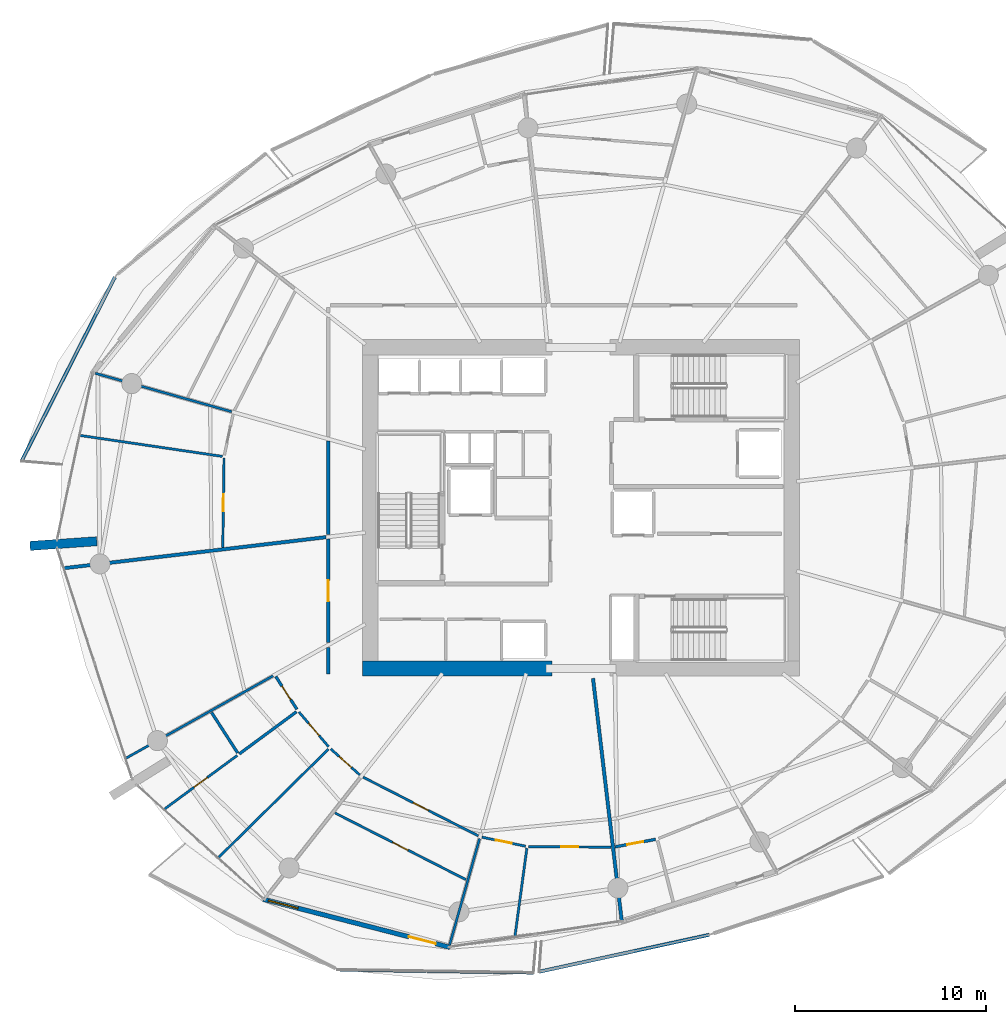
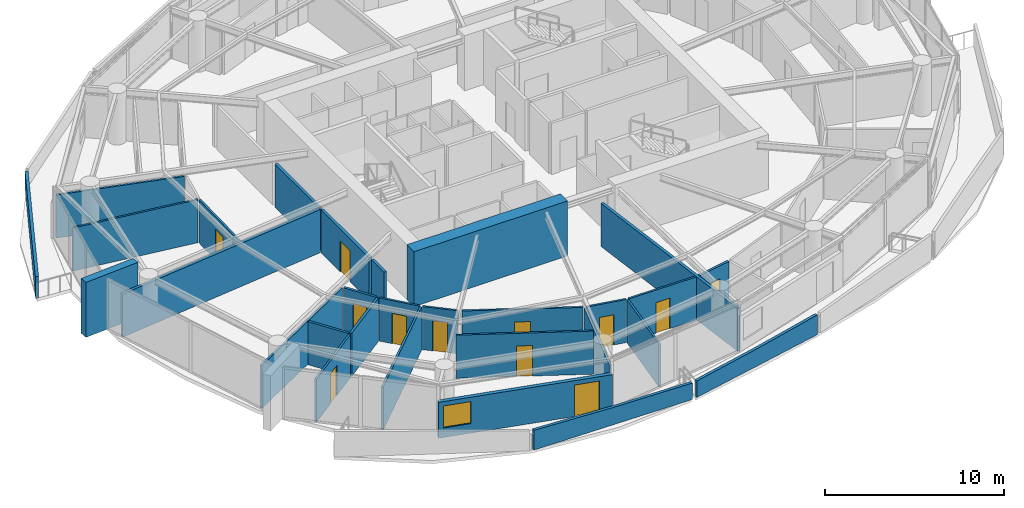
# One storey, part 11 of 20: 29 walls, 12 doors, 1 window, 13 openings.
"""IFC4 building model written with IfcOpenShell, lengths in metres."""

from ifc_helpers import new_model, si_unit, direction, frame, frame_2d, origin, place, context, subcontext, project, spatial, polyline, rectangle, outline, extrude, material, layer, layer_set, type_object, element, fill, save


model = new_model("IFC4")

# Units and contexts
model_context = context("Model", 3, precision=1e-05, world=origin(), true_north=direction((0.0, 1.0)))
body_context = subcontext(model_context, "Body", "Model", "MODEL_VIEW")
ifc_project = project(units=[si_unit("LENGTHUNIT", "METRE"), si_unit("AREAUNIT", "SQUARE_METRE"), si_unit("VOLUMEUNIT", "CUBIC_METRE"), si_unit("PLANEANGLEUNIT", "RADIAN"), si_unit("MASSUNIT", "GRAM", prefix="KILO")], contexts=[model_context])

# Site, building, storey
site_placement = place(None, origin())
site = spatial("IfcSite", under=ifc_project, at=site_placement, CompositionType="ELEMENT")
building_placement = place(site_placement, origin())
building = spatial("IfcBuilding", under=site, at=building_placement, Name="Kazma Halo Residences", CompositionType="ELEMENT")
storey_placement = place(building_placement, frame((0.0, 0.0, 157.800048828125)))
storey = spatial("IfcBuildingStorey", under=building, at=storey_placement, Name="L39", CompositionType="ELEMENT", Elevation=157.800048828125)

# Walls
ifc_material_1 = material(Name="White Concrete C50/60 Balustrade", Category="concrete")
ifc_layer_1 = layer(ifc_material_1, 0.179931640625)
ifc_layer_set_1 = layer_set([ifc_layer_1], Name="White Concrete C50/60 Balustrade")
wall_type_1 = type_object("IfcWallType", Name="WL-BAL-WAVE-180", PredefinedType="PARAPET", material=ifc_layer_set_1)
wall_1_placement = place(storey_placement, frame((24.047119140625, 54.070068359375, 0.0), z_axis=(0.0, 0.0, 1.0), x_axis=(-0.452409779831, -0.891810176615, 0.0)))
element("IfcWall", 1, at=wall_1_placement, inside=storey, type_object=wall_type_1, Name="L39 white wave balustrade wall NW.2", PredefinedType="PARAPET", context=body_context, shape_type="SweptSolid", body=[
    extrude(outline(polyline([(0.0, 0.0), (10.790771484375, 0.0), (10.79052734375, 1.48291015625), (5.395263671875, 1.283935546875), (0.0, 1.14794921875), (0.0, 0.0)])), frame((0.0, 0.08984375, 0.0), z_axis=(0.0, -1.0, 0.0), x_axis=(1.0, 0.0, 0.0)), (0.0, 0.0, 1.0), 0.179931640625),
])
wall_2_placement = place(storey_placement, frame((35.815185546875, 17.848876953125, 0.0), z_axis=(0.0, 0.0, 1.0), x_axis=(0.999886405962, -0.015072331381, 0.0)))
element("IfcWall", 2, at=wall_2_placement, inside=storey, type_object=wall_type_1, Name="L39 white wave balustrade wall SW.2", PredefinedType="PARAPET", context=body_context, shape_type="SweptSolid", body=[
    extrude(outline(polyline([(0.0, 0.0), (10.123779296875, 0.0), (10.12353515625, 1.119873046875), (5.061767578125, 1.181884765625), (0.0, 1.347900390625), (0.0, 0.0)])), frame((0.0, 0.08984375, 0.0), z_axis=(0.0, -1.0, 0.0), x_axis=(1.0, 0.0, 0.0)), (0.0, 0.0, 1.0), 0.179931640625),
])
wall_3_placement = place(storey_placement, frame((46.23974609375, 17.741455078125, 0.0), z_axis=(0.0, 0.0, 1.0), x_axis=(0.977181934864, 0.212404016384, 0.0)))
element("IfcWall", 3, at=wall_3_placement, inside=storey, type_object=wall_type_1, Name="L39 white wave balustrade wall SSE.1", PredefinedType="PARAPET", context=body_context, shape_type="SweptSolid", body=[
    extrude(outline(polyline([(0.0, 0.0), (9.096435546875, 0.0), (9.096435546875, 1.347900390625), (4.54833984375, 1.181884765625), (0.0, 1.119873046875), (0.0, 0.0)])), frame((0.0, 0.08984375, 0.0), z_axis=(0.0, -1.0, 0.0), x_axis=(1.0, 0.0, 0.0)), (0.0, 0.0, 1.0), 0.179931640625),
])
ifc_material_2 = material(Name="Pale Concrete C60/75", Category="concrete")
ifc_layer_2 = layer(ifc_material_2, 0.47998046875)
ifc_layer_set_2 = layer_set([ifc_layer_2], Name="Pale Concrete C60/75")
wall_type_2 = type_object("IfcWallType", Name="WL-BLADE-480", PredefinedType="SOLIDWALL", material=ifc_layer_set_2)
wall_4_placement = place(storey_placement, frame((23.10302734375, 40.259033203125, 0.0), z_axis=(0.0, 0.0, 1.0), x_axis=(-0.997564163539, -0.069754853754, 0.0)))
element("IfcWall", 4, at=wall_4_placement, inside=storey, type_object=wall_type_2, Name="L39 pale concrete structural blade fin wall BW-02", PredefinedType="SOLIDWALL", context=body_context, shape_type="SweptSolid", body=[
    extrude(rectangle(XDim=3.5, YDim=0.47998046875, at=frame_2d((1.75, 0.0))), origin(), (0.0, 0.0, 1.0), 3.75),
])
ifc_material_3 = material(Name="Concrete C80/95", Category="concrete")
ifc_layer_3 = layer(ifc_material_3, 0.800048828125)
ifc_layer_set_3 = layer_set([ifc_layer_3], Name="Concrete C80/95")
wall_type_3 = type_object("IfcWallType", Name="WL-CORE-800", PredefinedType="SHEAR", material=ifc_layer_set_3)
wall_5_placement = place(storey_placement, frame((37.0, 33.60009765625, 0.0), z_axis=(0.0, 0.0, 1.0), x_axis=(1.0, 0.0, 0.0)))
element("IfcWall", 5, at=wall_5_placement, inside=storey, type_object=wall_type_3, Name="L39 central core shear wall SW", PredefinedType="SHEAR", context=body_context, shape_type="SweptSolid", body=[
    extrude(rectangle(XDim=9.89990234375, YDim=0.800048828125, at=frame_2d((4.949951171875, 0.0))), origin(), (0.0, 0.0, 1.0), 3.75),
])
ifc_material_4 = material(Name="Acoustic Twin-Stud Gypsum")
ifc_layer_4 = layer(ifc_material_4, 0.179931640625)
ifc_layer_set_4 = layer_set([ifc_layer_4], Name="Acoustic Twin-Stud Gypsum")
wall_type_4 = type_object("IfcWallType", Name="WL-DEM-180", PredefinedType="PARTITIONING", material=ifc_layer_set_4)
wall_6_placement = place(storey_placement, frame((35.0908203125, 40.47216796875, 0.0), z_axis=(0.0, 0.0, 1.0), x_axis=(-0.993067434621, -0.11754603479, 0.0)))
element("IfcWall", 6, at=wall_6_placement, inside=storey, type_object=wall_type_4, Name="L39 apartment demising radial wall 07", PredefinedType="PARTITIONING", context=body_context, shape_type="SweptSolid", body=[
    extrude(rectangle(XDim=13.786865234375, YDim=0.179931640625, at=frame_2d((6.8935546875, 0.0))), origin(), (0.0, 0.0, 1.0), 2.93994140625),
])
wall_7_placement = place(storey_placement, frame((49.054443359375, 33.0908203125, 0.0), z_axis=(0.0, 0.0, 1.0), x_axis=(0.117543744731, -0.993067705685, 0.0)))
element("IfcWall", 7, at=wall_7_placement, inside=storey, type_object=wall_type_4, Name="L39 apartment demising radial wall 11", PredefinedType="PARTITIONING", context=body_context, shape_type="SweptSolid", body=[
    extrude(rectangle(XDim=12.76318359375, YDim=0.179931640625, at=frame_2d((6.381591796875, 0.0))), origin(), (0.0, 0.0, 1.0), 2.93994140625),
])
wall_8_placement = place(storey_placement, frame((35.199951171875, 45.489990234375, 0.0), z_axis=(0.0, 0.0, 1.0), x_axis=(0.0, -1.0, 0.0)))
element("IfcWall", 8, at=wall_8_placement, inside=storey, type_object=wall_type_4, Name="L39 Apartment 1 inner wall 6", PredefinedType="PARTITIONING", context=body_context, shape_type="SweptSolid", body=[
    extrude(rectangle(XDim=4.885009765625, YDim=0.179931640625, at=frame_2d((2.4423828125, 0.0))), origin(), (0.0, 0.0, 1.0), 2.93994140625),
])

# Wall, opening, door
wall_9_placement = place(storey_placement, frame((35.199951171875, 40.364990234375, 0.0), z_axis=(0.0, 0.0, 1.0), x_axis=(0.0, -1.0, 0.0)))
wall_9 = element("IfcWall", 9, at=wall_9_placement, inside=storey, type_object=wall_type_4, Name="L39 Apartment 2 entrance corridor wall", PredefinedType="PARTITIONING", context=body_context, shape_type="SweptSolid", body=[
    extrude(rectangle(XDim=5.413330078125, YDim=0.179931640625, at=frame_2d((2.70654296875, 0.0))), origin(), (0.0, 0.0, 1.0), 2.93994140625),
])
opening_1_placement = place(wall_9_placement, frame((2.156494140625, 0.0, 0.0)))
opening_1 = element("IfcOpeningElement", 10, at=opening_1_placement, cuts=wall_9, Name="Opening DA-1100", PredefinedType="OPENING", context=body_context, shape_type="SweptSolid", body=[
    extrude(rectangle(XDim=1.10009765625, YDim=2.10009765625, at=frame_2d((0.550048828125, 1.050048828125))), frame((0.0, 0.099853515625, 0.0), z_axis=(0.0, -1.0, 0.0), x_axis=(1.0, 0.0, 0.0)), (0.0, 0.0, 1.0), 0.199951171875),
])
ifc_material_5 = material(Name="Acoustic Walnut Fire Leaf")
door_type_1 = type_object("IfcDoorType", Name="DR-FD60-1100", OperationType="NOTDEFINED", PredefinedType="DOOR", material=ifc_material_5)
door_1_placement = place(opening_1_placement, origin())
door_1 = element("IfcDoor", 11, at=door_1_placement, inside=storey, type_object=door_type_1, Name="L39 Apartment 2 entrance fire door", OperationType="SINGLE_SWING_RIGHT", OverallHeight=2.10009765625, OverallWidth=1.10009765625, PredefinedType="DOOR", context=body_context, shape_type="SweptSolid", body=[
    extrude(rectangle(XDim=1.10009765625, YDim=2.10009765625, at=frame_2d((0.550048828125, 1.050048828125))), frame((0.0, 0.02490234375, 0.0), z_axis=(0.0, -1.0, 0.0), x_axis=(1.0, 0.0, 0.0)), (0.0, 0.0, 1.0), 0.050048828125),
])
fill(opening_1, door_1)

# Wall
wall_10_placement = place(storey_placement, frame((35.199951171875, 34.711669921875, 0.0), z_axis=(0.0, 0.0, 1.0), x_axis=(0.0, -1.0, 0.0)))
element("IfcWall", 12, at=wall_10_placement, inside=storey, type_object=wall_type_4, Name="L39 Apartment 2 inner wall 8", PredefinedType="PARTITIONING", context=body_context, shape_type="SweptSolid", body=[
    extrude(rectangle(XDim=1.3916015625, YDim=0.179931640625, at=frame_2d((0.69580078125, 0.0))), origin(), (0.0, 0.0, 1.0), 2.93994140625),
])

# Wall, openings, door, window
ifc_material_6 = material(Name="Insulated Pale-Metal Composite Wall")
ifc_layer_5 = layer(ifc_material_6, 0.239990234375)
ifc_layer_set_5 = layer_set([ifc_layer_5], Name="Insulated Pale-Metal Composite Wall")
wall_type_5 = type_object("IfcWallType", Name="WL-EXT-HOST-240", PredefinedType="SOLIDWALL", material=ifc_layer_set_5)
wall_11_placement = place(storey_placement, frame((31.807861328125, 21.5341796875, 0.0), z_axis=(0.0, 0.0, 1.0), x_axis=(0.968379685126, -0.249481032214, 0.0)))
wall_11 = element("IfcWall", 13, at=wall_11_placement, inside=storey, type_object=wall_type_5, Name="L39 exterior terrace-access wall B10", PredefinedType="SOLIDWALL", context=body_context, shape_type="SweptSolid", body=[
    extrude(rectangle(XDim=10.08154296875, YDim=0.239990234375, at=frame_2d((5.040771484375, 0.0))), origin(), (0.0, 0.0, 1.0), 2.449951171875),
])
opening_2_placement = place(wall_11_placement, frame((7.861572265625, 0.0, 0.0)))
opening_2 = element("IfcOpeningElement", 14, at=opening_2_placement, cuts=wall_11, Name="Opening DTR-1600", PredefinedType="OPENING", context=body_context, shape_type="SweptSolid", body=[
    extrude(rectangle(XDim=1.449951171875, YDim=2.14990234375, at=frame_2d((0.72509765625, 1.074951171875))), frame((0.0, 0.1298828125, 0.0), z_axis=(0.0, -1.0, 0.0), x_axis=(1.0, 0.0, 0.0)), (0.0, 0.0, 1.0), 0.260009765625),
])
opening_3_placement = place(wall_11_placement, frame((0.280029296875, 0.0, 0.64990234375)))
opening_3 = element("IfcOpeningElement", 15, at=opening_3_placement, cuts=wall_11, Name="Opening W-1800", PredefinedType="OPENING", context=body_context, shape_type="SweptSolid", body=[
    extrude(rectangle(XDim=1.60009765625, YDim=1.5, at=frame_2d((0.800048828125, 0.75))), frame((0.0, 0.1298828125, 0.0), z_axis=(0.0, -1.0, 0.0), x_axis=(1.0, 0.0, 0.0)), (0.0, 0.0, 1.0), 0.260009765625),
])
ifc_material_7 = material(Name="Aluminium AW-6063 T6 Double-Glazed Terrace Door", Category="aluminium")
door_type_2 = type_object("IfcDoorType", Name="DR-EXT-TERR-1600", OperationType="NOTDEFINED", PredefinedType="DOOR", material=ifc_material_7)
door_2_placement = place(opening_2_placement, origin())
door_2 = element("IfcDoor", 16, at=door_2_placement, inside=storey, type_object=door_type_2, Name="L39 B10 balcony terrace door", OperationType="DOUBLE_DOOR_SLIDING", OverallHeight=2.14990234375, OverallWidth=1.449951171875, PredefinedType="DOOR", context=body_context, shape_type="SweptSolid", body=[
    extrude(rectangle(XDim=1.449951171875, YDim=2.14990234375, at=frame_2d((0.72509765625, 1.074951171875))), frame((0.0, 0.02490234375, 0.0), z_axis=(0.0, -1.0, 0.0), x_axis=(1.0, 0.0, 0.0)), (0.0, 0.0, 1.0), 0.050048828125),
])
fill(opening_2, door_2)
ifc_material_8 = material(Name="Clear Triple-Silver Low-E Glass in Aluminium AW-6063 T6 Frame", Category="aluminium")
window_type = type_object("IfcWindowType", Name="WIN-RES-1800", PartitioningType="DOUBLE_PANEL_VERTICAL", PredefinedType="WINDOW", material=ifc_material_8)
window_placement = place(opening_3_placement, origin())
window = element("IfcWindow", 17, at=window_placement, inside=storey, type_object=window_type, Name="L39 B10 apartment window", OverallHeight=1.5, OverallWidth=1.60009765625, PartitioningType="SINGLE_PANEL", PredefinedType="WINDOW", context=body_context, shape_type="SweptSolid", body=[
    extrude(rectangle(XDim=1.60009765625, YDim=1.5, at=frame_2d((0.800048828125, 0.75))), frame((0.0, 0.030029296875, 0.0), z_axis=(0.0, -1.0, 0.0), x_axis=(1.0, 0.0, 0.0)), (0.0, 0.0, 1.0), 0.06005859375),
])
fill(opening_3, window)

# Walls
ifc_material_9 = material(Name="Gypsum Plasterboard Partition")
ifc_layer_6 = layer(ifc_material_9, 0.125)
ifc_layer_set_6 = layer_set([ifc_layer_6], Name="Gypsum Plasterboard Partition")
wall_type_6 = type_object("IfcWallType", Name="WL-PART-125", PredefinedType="PARTITIONING", material=ifc_layer_set_6)
wall_12_placement = place(storey_placement, frame((30.156982421875, 47.0322265625, 0.0), z_axis=(0.0, 0.0, 1.0), x_axis=(-0.962456736489, 0.271435131084, 0.0)))
element("IfcWall", 18, at=wall_12_placement, inside=storey, type_object=wall_type_6, Name="L39 Apartment 1 radial partition 6", PredefinedType="PARTITIONING", context=body_context, shape_type="SweptSolid", body=[
    extrude(rectangle(XDim=7.412353515625, YDim=0.125, at=frame_2d((3.7060546875, 0.0))), origin(), (0.0, 0.0, 1.0), 2.93994140625),
])
wall_13_placement = place(storey_placement, frame((29.66845703125, 44.697265625, 0.0), z_axis=(0.0, 0.0, 1.0), x_axis=(-0.989352403942, 0.145539756815, 0.0)))
element("IfcWall", 19, at=wall_13_placement, inside=storey, type_object=wall_type_6, Name="L39 Apartment 1 mid-bay wall 6", PredefinedType="PARTITIONING", context=body_context, shape_type="SweptSolid", body=[
    extrude(rectangle(XDim=7.525146484375, YDim=0.125, at=frame_2d((3.7626953125, 0.0))), origin(), (0.0, 0.0, 1.0), 2.93994140625),
])

# Wall, opening, door
wall_14_placement = place(storey_placement, frame((29.75634765625, 44.60400390625, 0.0), z_axis=(0.0, 0.0, 1.0), x_axis=(-0.014161849223, -0.999899715985, 0.0)))
wall_14 = element("IfcWall", 20, at=wall_14_placement, inside=storey, type_object=wall_type_6, Name="L39 Apartment 1 South Formal Dining Room hall wall", PredefinedType="PARTITIONING", context=body_context, shape_type="SweptSolid", body=[
    extrude(rectangle(XDim=4.671875, YDim=0.125, at=frame_2d((2.3359375, 0.0))), origin(), (0.0, 0.0, 1.0), 2.93994140625),
])
opening_4_placement = place(wall_14_placement, frame((1.885986328125, 0.0, 0.0)))
opening_4 = element("IfcOpeningElement", 21, at=opening_4_placement, cuts=wall_14, Name="Opening DI-950", PredefinedType="OPENING", context=body_context, shape_type="SweptSolid", body=[
    extrude(rectangle(XDim=0.89990234375, YDim=2.080078125, at=frame_2d((0.449951171875, 1.0400390625))), frame((0.0, 0.072509765625, 0.0), z_axis=(0.0, -1.0, 0.0), x_axis=(1.0, 0.0, 0.0)), (0.0, 0.0, 1.0), 0.14501953125),
])
ifc_material_10 = material(Name="Timber Veneer Flush Leaf", Category="wood")
door_type_3 = type_object("IfcDoorType", Name="DR-INT-950", OperationType="NOTDEFINED", PredefinedType="DOOR", material=ifc_material_10)
door_3_placement = place(opening_4_placement, origin())
door_3 = element("IfcDoor", 22, at=door_3_placement, inside=storey, type_object=door_type_3, Name="L39 Apartment 1 South Formal Dining Room door", OperationType="SINGLE_SWING_LEFT", OverallHeight=2.080078125, OverallWidth=0.89990234375, PredefinedType="DOOR", context=body_context, shape_type="SweptSolid", body=[
    extrude(rectangle(XDim=0.89990234375, YDim=2.080078125, at=frame_2d((0.449951171875, 1.0400390625))), frame((0.0, 0.02490234375, 0.0), z_axis=(0.0, -1.0, 0.0), x_axis=(1.0, 0.0, 0.0)), (0.0, 0.0, 1.0), 0.050048828125),
])
fill(opening_4, door_3)

# Wall
wall_15_placement = place(storey_placement, frame((32.3212890625, 33.219482421875, 0.0), z_axis=(0.0, 0.0, 1.0), x_axis=(-0.872493265844, -0.488626136281, 0.0)))
element("IfcWall", 23, at=wall_15_placement, inside=storey, type_object=wall_type_6, Name="L39 Apartment 2 radial partition 8", PredefinedType="PARTITIONING", context=body_context, shape_type="SweptSolid", body=[
    extrude(rectangle(XDim=8.816162109375, YDim=0.125, at=frame_2d((4.408203125, 0.0))), origin(), (0.0, 0.0, 1.0), 2.93994140625),
])

# Wall, opening, door
wall_16_placement = place(storey_placement, frame((30.4462890625, 29.055908203125, 0.0), z_axis=(0.0, 0.0, 1.0), x_axis=(-0.804837038538, -0.593495864684, 0.0)))
wall_16 = element("IfcWall", 24, at=wall_16_placement, inside=storey, type_object=wall_type_6, Name="L39 Apartment 2 Household Store Room partition wall", PredefinedType="PARTITIONING", context=body_context, shape_type="SweptSolid", body=[
    extrude(rectangle(XDim=4.740966796875, YDim=0.125, at=frame_2d((2.37060546875, 0.0))), origin(), (0.0, 0.0, 1.0), 2.93994140625),
])
opening_5_placement = place(wall_16_placement, frame((1.945556640625, 0.0, 0.0)))
opening_5 = element("IfcOpeningElement", 25, at=opening_5_placement, cuts=wall_16, Name="Opening DB-900", PredefinedType="OPENING", context=body_context, shape_type="SweptSolid", body=[
    extrude(rectangle(XDim=0.85009765625, YDim=2.06005859375, at=frame_2d((0.425048828125, 1.030029296875))), frame((0.0, 0.072509765625, 0.0), z_axis=(0.0, -1.0, 0.0), x_axis=(1.0, 0.0, 0.0)), (0.0, 0.0, 1.0), 0.14501953125),
])
ifc_material_11 = material(Name="Moisture-Sealed Timber Leaf", Category="wood")
door_type_4 = type_object("IfcDoorType", Name="DR-BTH-900", OperationType="NOTDEFINED", PredefinedType="DOOR", material=ifc_material_11)
door_4_placement = place(opening_5_placement, origin())
door_4 = element("IfcDoor", 26, at=door_4_placement, inside=storey, type_object=door_type_4, Name="L39 Apartment 2 Household Store Room door", OperationType="SINGLE_SWING_LEFT", OverallHeight=2.06005859375, OverallWidth=0.85009765625, PredefinedType="DOOR", context=body_context, shape_type="SweptSolid", body=[
    extrude(rectangle(XDim=0.85009765625, YDim=2.06005859375, at=frame_2d((0.425048828125, 1.030029296875))), frame((0.0, 0.02490234375, 0.0), z_axis=(0.0, -1.0, 0.0), x_axis=(1.0, 0.0, 0.0)), (0.0, 0.0, 1.0), 0.050048828125),
])
fill(opening_5, door_4)

# Wall
wall_17_placement = place(storey_placement, frame((35.215087890625, 29.385986328125, 0.0), z_axis=(0.0, 0.0, 1.0), x_axis=(-0.711845690147, -0.702335897857, 0.0)))
element("IfcWall", 27, at=wall_17_placement, inside=storey, type_object=wall_type_6, Name="L39 Apartment 2 suite divider 8", PredefinedType="PARTITIONING", context=body_context, shape_type="SweptSolid", body=[
    extrude(rectangle(XDim=8.0869140625, YDim=0.125, at=frame_2d((4.04345703125, 0.0))), origin(), (0.0, 0.0, 1.0), 2.93994140625),
])

# Wall, opening, door
wall_18_placement = place(storey_placement, frame((33.676025390625, 31.325927734375, 0.0), z_axis=(0.0, 0.0, 1.0), x_axis=(0.649527713292, -0.760337918077, 0.0)))
wall_18 = element("IfcWall", 28, at=wall_18_placement, inside=storey, type_object=wall_type_6, Name="L39 Apartment 2 Gourmet Kitchen hall wall", PredefinedType="PARTITIONING", context=body_context, shape_type="SweptSolid", body=[
    extrude(rectangle(XDim=2.38818359375, YDim=0.125, at=frame_2d((1.194091796875, 0.0))), origin(), (0.0, 0.0, 1.0), 2.93994140625),
])
opening_6_placement = place(wall_18_placement, frame((0.76904296875, 0.0, 0.0)))
opening_6 = element("IfcOpeningElement", 29, at=opening_6_placement, cuts=wall_18, Name="Opening DB-900", PredefinedType="OPENING", context=body_context, shape_type="SweptSolid", body=[
    extrude(rectangle(XDim=0.85009765625, YDim=2.06005859375, at=frame_2d((0.425048828125, 1.030029296875))), frame((0.0, 0.072509765625, 0.0), z_axis=(0.0, -1.0, 0.0), x_axis=(1.0, 0.0, 0.0)), (0.0, 0.0, 1.0), 0.14501953125),
])
door_5_placement = place(opening_6_placement, origin())
door_5 = element("IfcDoor", 30, at=door_5_placement, inside=storey, type_object=door_type_4, Name="L39 Apartment 2 Gourmet Kitchen door", OperationType="SINGLE_SWING_RIGHT", OverallHeight=2.06005859375, OverallWidth=0.85009765625, PredefinedType="DOOR", context=body_context, shape_type="SweptSolid", body=[
    extrude(rectangle(XDim=0.85009765625, YDim=2.06005859375, at=frame_2d((0.425048828125, 1.030029296875))), frame((0.0, 0.02490234375, 0.0), z_axis=(0.0, -1.0, 0.0), x_axis=(1.0, 0.0, 0.0)), (0.0, 0.0, 1.0), 0.050048828125),
])
fill(opening_6, door_5)

wall_19_placement = place(storey_placement, frame((35.3388671875, 29.39599609375, 0.0), z_axis=(0.0, 0.0, 1.0), x_axis=(0.745310033914, -0.666718046364, 0.0)))
wall_19 = element("IfcWall", 31, at=wall_19_placement, inside=storey, type_object=wall_type_6, Name="L39 Apartment 2 Primary Bedroom hall wall", PredefinedType="PARTITIONING", context=body_context, shape_type="SweptSolid", body=[
    extrude(rectangle(XDim=2.0439453125, YDim=0.125, at=frame_2d((1.02197265625, 0.0))), origin(), (0.0, 0.0, 1.0), 2.93994140625),
])
opening_7_placement = place(wall_19_placement, frame((0.596923828125, 0.0, 0.0)))
opening_7 = element("IfcOpeningElement", 32, at=opening_7_placement, cuts=wall_19, Name="Opening DB-900", PredefinedType="OPENING", context=body_context, shape_type="SweptSolid", body=[
    extrude(rectangle(XDim=0.85009765625, YDim=2.06005859375, at=frame_2d((0.425048828125, 1.030029296875))), frame((0.0, 0.072509765625, 0.0), z_axis=(0.0, -1.0, 0.0), x_axis=(1.0, 0.0, 0.0)), (0.0, 0.0, 1.0), 0.14501953125),
])
door_6_placement = place(opening_7_placement, origin())
door_6 = element("IfcDoor", 33, at=door_6_placement, inside=storey, type_object=door_type_4, Name="L39 Apartment 2 Primary Bedroom door", OperationType="SINGLE_SWING_LEFT", OverallHeight=2.06005859375, OverallWidth=0.85009765625, PredefinedType="DOOR", context=body_context, shape_type="SweptSolid", body=[
    extrude(rectangle(XDim=0.85009765625, YDim=2.06005859375, at=frame_2d((0.425048828125, 1.030029296875))), frame((0.0, 0.02490234375, 0.0), z_axis=(0.0, -1.0, 0.0), x_axis=(1.0, 0.0, 0.0)), (0.0, 0.0, 1.0), 0.050048828125),
])
fill(opening_7, door_6)

wall_20_placement = place(storey_placement, frame((37.034912109375, 27.91650390625, 0.0), z_axis=(0.0, 0.0, 1.0), x_axis=(0.89100279738, -0.453997813939, 0.0)))
wall_20 = element("IfcWall", 34, at=wall_20_placement, inside=storey, type_object=wall_type_6, Name="L39 Apartment 2 Primary Study hall wall", PredefinedType="PARTITIONING", context=body_context, shape_type="SweptSolid", body=[
    extrude(rectangle(XDim=6.752685546875, YDim=0.125, at=frame_2d((3.37646484375, 0.0))), origin(), (0.0, 0.0, 1.0), 2.93994140625),
])
opening_8_placement = place(wall_20_placement, frame((2.92626953125, 0.0, 0.0)))
opening_8 = element("IfcOpeningElement", 35, at=opening_8_placement, cuts=wall_20, Name="Opening DI-950", PredefinedType="OPENING", context=body_context, shape_type="SweptSolid", body=[
    extrude(rectangle(XDim=0.89990234375, YDim=2.080078125, at=frame_2d((0.449951171875, 1.0400390625))), frame((0.0, 0.072509765625, 0.0), z_axis=(0.0, -1.0, 0.0), x_axis=(1.0, 0.0, 0.0)), (0.0, 0.0, 1.0), 0.14501953125),
])
door_7_placement = place(opening_8_placement, origin())
door_7 = element("IfcDoor", 36, at=door_7_placement, inside=storey, type_object=door_type_3, Name="L39 Apartment 2 Primary Study door", OperationType="SINGLE_SWING_LEFT", OverallHeight=2.080078125, OverallWidth=0.89990234375, PredefinedType="DOOR", context=body_context, shape_type="SweptSolid", body=[
    extrude(rectangle(XDim=0.89990234375, YDim=2.080078125, at=frame_2d((0.449951171875, 1.0400390625))), frame((0.0, 0.02490234375, 0.0), z_axis=(0.0, -1.0, 0.0), x_axis=(1.0, 0.0, 0.0)), (0.0, 0.0, 1.0), 0.050048828125),
])
fill(opening_8, door_7)

wall_21_placement = place(storey_placement, frame((35.561279296875, 26.04736328125, 0.0), z_axis=(0.0, 0.0, 1.0), x_axis=(0.891013298813, -0.453977203544, 0.0)))
wall_21 = element("IfcWall", 37, at=wall_21_placement, inside=storey, type_object=wall_type_6, Name="L39 Apartment 2 Secondary Master Bedroom divider wall", PredefinedType="PARTITIONING", context=body_context, shape_type="SweptSolid", body=[
    extrude(rectangle(XDim=7.68115234375, YDim=0.125, at=frame_2d((3.840576171875, 0.0))), origin(), (0.0, 0.0, 1.0), 2.93994140625),
])
opening_9_placement = place(wall_21_placement, frame((3.390625, 0.0, 0.0)))
opening_9 = element("IfcOpeningElement", 38, at=opening_9_placement, cuts=wall_21, Name="Opening DI-950", PredefinedType="OPENING", context=body_context, shape_type="SweptSolid", body=[
    extrude(rectangle(XDim=0.89990234375, YDim=2.080078125, at=frame_2d((0.449951171875, 1.0400390625))), frame((0.0, 0.072509765625, 0.0), z_axis=(0.0, -1.0, 0.0), x_axis=(1.0, 0.0, 0.0)), (0.0, 0.0, 1.0), 0.14501953125),
])
door_8_placement = place(opening_9_placement, origin())
door_8 = element("IfcDoor", 39, at=door_8_placement, inside=storey, type_object=door_type_3, Name="L39 Apartment 2 Secondary Master Bedroom door", OperationType="SINGLE_SWING_RIGHT", OverallHeight=2.080078125, OverallWidth=0.89990234375, PredefinedType="DOOR", context=body_context, shape_type="SweptSolid", body=[
    extrude(rectangle(XDim=0.89990234375, YDim=2.080078125, at=frame_2d((0.449951171875, 1.0400390625))), frame((0.0, 0.02490234375, 0.0), z_axis=(0.0, -1.0, 0.0), x_axis=(1.0, 0.0, 0.0)), (0.0, 0.0, 1.0), 0.050048828125),
])
fill(opening_9, door_8)

# Walls
wall_22_placement = place(storey_placement, frame((43.122314453125, 24.70458984375, 0.0), z_axis=(0.0, 0.0, 1.0), x_axis=(-0.271461170106, -0.962449392501, 0.0)))
element("IfcWall", 40, at=wall_22_placement, inside=storey, type_object=wall_type_6, Name="L39 Apartment 2 radial partition 10", PredefinedType="PARTITIONING", context=body_context, shape_type="SweptSolid", body=[
    extrude(rectangle(XDim=5.769287109375, YDim=0.125, at=frame_2d((2.884765625, 0.0))), origin(), (0.0, 0.0, 1.0), 2.93994140625),
])
wall_23_placement = place(storey_placement, frame((45.59521484375, 24.20166015625, 0.0), z_axis=(0.0, 0.0, 1.0), x_axis=(-0.133913732336, -0.990992993059, 0.0)))
element("IfcWall", 41, at=wall_23_placement, inside=storey, type_object=wall_type_6, Name="L39 Apartment 2 mid-bay wall 10", PredefinedType="PARTITIONING", context=body_context, shape_type="SweptSolid", body=[
    extrude(rectangle(XDim=4.6689453125, YDim=0.125, at=frame_2d((2.33447265625, 0.0))), origin(), (0.0, 0.0, 1.0), 2.93994140625),
])

# Wall, opening, door
wall_24_placement = place(storey_placement, frame((43.247314453125, 24.780517578125, 0.0), z_axis=(0.0, 0.0, 1.0), x_axis=(0.979144850172, -0.203163388388, 0.0)))
wall_24 = element("IfcWall", 42, at=wall_24_placement, inside=storey, type_object=wall_type_6, Name="L39 Apartment 2 East Bedroom hall wall", PredefinedType="PARTITIONING", context=body_context, shape_type="SweptSolid", body=[
    extrude(rectangle(XDim=2.330078125, YDim=0.125, at=frame_2d((1.1650390625, 0.0))), origin(), (0.0, 0.0, 1.0), 2.93994140625),
])
opening_10_placement = place(wall_24_placement, frame((0.739990234375, 0.0, 0.0)))
opening_10 = element("IfcOpeningElement", 43, at=opening_10_placement, cuts=wall_24, Name="Opening DB-900", PredefinedType="OPENING", context=body_context, shape_type="SweptSolid", body=[
    extrude(rectangle(XDim=0.85009765625, YDim=2.06005859375, at=frame_2d((0.425048828125, 1.030029296875))), frame((0.0, 0.072509765625, 0.0), z_axis=(0.0, -1.0, 0.0), x_axis=(1.0, 0.0, 0.0)), (0.0, 0.0, 1.0), 0.14501953125),
])
door_9_placement = place(opening_10_placement, origin())
door_9 = element("IfcDoor", 44, at=door_9_placement, inside=storey, type_object=door_type_4, Name="L39 Apartment 2 East Bedroom door", OperationType="SINGLE_SWING_RIGHT", OverallHeight=2.06005859375, OverallWidth=0.85009765625, PredefinedType="DOOR", context=body_context, shape_type="SweptSolid", body=[
    extrude(rectangle(XDim=0.85009765625, YDim=2.06005859375, at=frame_2d((0.425048828125, 1.030029296875))), frame((0.0, 0.02490234375, 0.0), z_axis=(0.0, -1.0, 0.0), x_axis=(1.0, 0.0, 0.0)), (0.0, 0.0, 1.0), 0.050048828125),
])
fill(opening_10, door_9)

wall_25_placement = place(storey_placement, frame((45.687255859375, 24.290283203125, 0.0), z_axis=(0.0, 0.0, 1.0), x_axis=(0.999965854942, -0.008263712844, 0.0)))
wall_25 = element("IfcWall", 45, at=wall_25_placement, inside=storey, type_object=wall_type_6, Name="L39 Apartment 2 West Bedroom hall wall", PredefinedType="PARTITIONING", context=body_context, shape_type="SweptSolid", body=[
    extrude(rectangle(XDim=4.3134765625, YDim=0.125, at=frame_2d((2.15673828125, 0.0))), origin(), (0.0, 0.0, 1.0), 2.93994140625),
])
opening_11_placement = place(wall_25_placement, frame((1.706787109375, 0.0, 0.0)))
opening_11 = element("IfcOpeningElement", 46, at=opening_11_placement, cuts=wall_25, Name="Opening DI-950", PredefinedType="OPENING", context=body_context, shape_type="SweptSolid", body=[
    extrude(rectangle(XDim=0.89990234375, YDim=2.080078125, at=frame_2d((0.449951171875, 1.0400390625))), frame((0.0, 0.072509765625, 0.0), z_axis=(0.0, -1.0, 0.0), x_axis=(1.0, 0.0, 0.0)), (0.0, 0.0, 1.0), 0.14501953125),
])
door_10_placement = place(opening_11_placement, origin())
door_10 = element("IfcDoor", 47, at=door_10_placement, inside=storey, type_object=door_type_3, Name="L39 Apartment 2 West Bedroom door", OperationType="SINGLE_SWING_LEFT", OverallHeight=2.080078125, OverallWidth=0.89990234375, PredefinedType="DOOR", context=body_context, shape_type="SweptSolid", body=[
    extrude(rectangle(XDim=0.89990234375, YDim=2.080078125, at=frame_2d((0.449951171875, 1.0400390625))), frame((0.0, 0.02490234375, 0.0), z_axis=(0.0, -1.0, 0.0), x_axis=(1.0, 0.0, 0.0)), (0.0, 0.0, 1.0), 0.050048828125),
])
fill(opening_11, door_10)

ifc_material_12 = material(Name="Moisture-Resistant Gypsum")
ifc_layer_7 = layer(ifc_material_12, 0.14990234375)
ifc_layer_set_7 = layer_set([ifc_layer_7], Name="Moisture-Resistant Gypsum")
wall_type_7 = type_object("IfcWallType", Name="WL-WET-150", PredefinedType="PARTITIONING", material=ifc_layer_set_7)
wall_26_placement = place(storey_placement, frame((32.462646484375, 33.184326171875, 0.0), z_axis=(0.0, 0.0, 1.0), x_axis=(0.542099612135, -0.840314233203, 0.0)))
wall_26 = element("IfcWall", 48, at=wall_26_placement, inside=storey, type_object=wall_type_7, Name="L39 Apartment 2 Guest Bathroom hall wall", PredefinedType="PARTITIONING", context=body_context, shape_type="SweptSolid", body=[
    extrude(rectangle(XDim=2.0400390625, YDim=0.14990234375, at=frame_2d((1.02001953125, 0.0))), origin(), (0.0, 0.0, 1.0), 2.93994140625),
])
opening_12_placement = place(wall_26_placement, frame((0.59521484375, 0.0, 0.0)))
opening_12 = element("IfcOpeningElement", 49, at=opening_12_placement, cuts=wall_26, Name="Opening DB-900", PredefinedType="OPENING", context=body_context, shape_type="SweptSolid", body=[
    extrude(rectangle(XDim=0.85009765625, YDim=2.06005859375, at=frame_2d((0.425048828125, 1.030029296875))), frame((0.0, 0.0849609375, 0.0), z_axis=(0.0, -1.0, 0.0), x_axis=(1.0, 0.0, 0.0)), (0.0, 0.0, 1.0), 0.169921875),
])
door_11_placement = place(opening_12_placement, origin())
door_11 = element("IfcDoor", 50, at=door_11_placement, inside=storey, type_object=door_type_4, Name="L39 Apartment 2 Guest Bathroom door", OperationType="SINGLE_SWING_RIGHT", OverallHeight=2.06005859375, OverallWidth=0.85009765625, PredefinedType="DOOR", context=body_context, shape_type="SweptSolid", body=[
    extrude(rectangle(XDim=0.85009765625, YDim=2.06005859375, at=frame_2d((0.425048828125, 1.030029296875))), frame((0.0, 0.02490234375, 0.0), z_axis=(0.0, -1.0, 0.0), x_axis=(1.0, 0.0, 0.0)), (0.0, 0.0, 1.0), 0.050048828125),
])
fill(opening_12, door_11)

# Walls
wall_27_placement = place(storey_placement, frame((29.103515625, 31.302978515625, 0.0), z_axis=(0.0, 0.0, 1.0), x_axis=(0.542142313724, -0.840286684216, 0.0)))
element("IfcWall", 51, at=wall_27_placement, inside=storey, type_object=wall_type_7, Name="L39 Apartment 2 Guest Bathroom back wall", PredefinedType="PARTITIONING", context=body_context, shape_type="SweptSolid", body=[
    extrude(rectangle(XDim=2.5205078125, YDim=0.14990234375, at=frame_2d((1.26025390625, 0.0))), origin(), (0.0, 0.0, 1.0), 2.93994140625),
])
wall_28_placement = place(storey_placement, frame((33.545166015625, 31.3408203125, 0.0), z_axis=(0.0, 0.0, 1.0), x_axis=(-0.804856199216, -0.593469880097, 0.0)))
element("IfcWall", 52, at=wall_28_placement, inside=storey, type_object=wall_type_7, Name="L39 Apartment 2 Guest Bathroom side wall", PredefinedType="PARTITIONING", context=body_context, shape_type="SweptSolid", body=[
    extrude(rectangle(XDim=3.72021484375, YDim=0.14990234375, at=frame_2d((1.860107421875, 0.0))), origin(), (0.0, 0.0, 1.0), 2.93994140625),
])

# Wall, opening, door
wall_29_placement = place(storey_placement, frame((50.19873046875, 24.272216796875, 0.0), z_axis=(0.0, 0.0, 1.0), x_axis=(0.98320468223, 0.182506309042, 0.0)))
wall_29 = element("IfcWall", 53, at=wall_29_placement, inside=storey, type_object=wall_type_7, Name="L39 Apartment 3 Guest Bathroom hall wall", PredefinedType="PARTITIONING", context=body_context, shape_type="SweptSolid", body=[
    extrude(rectangle(XDim=2.1591796875, YDim=0.14990234375, at=frame_2d((1.07958984375, 0.0))), origin(), (0.0, 0.0, 1.0), 2.93994140625),
])
opening_13_placement = place(wall_29_placement, frame((0.654541015625, 0.0, 0.0)))
opening_13 = element("IfcOpeningElement", 54, at=opening_13_placement, cuts=wall_29, Name="Opening DB-900", PredefinedType="OPENING", context=body_context, shape_type="SweptSolid", body=[
    extrude(rectangle(XDim=0.85009765625, YDim=2.06005859375, at=frame_2d((0.425048828125, 1.030029296875))), frame((0.0, 0.0849609375, 0.0), z_axis=(0.0, -1.0, 0.0), x_axis=(1.0, 0.0, 0.0)), (0.0, 0.0, 1.0), 0.169921875),
])
door_12_placement = place(opening_13_placement, origin())
door_12 = element("IfcDoor", 55, at=door_12_placement, inside=storey, type_object=door_type_4, Name="L39 Apartment 3 Guest Bathroom door", OperationType="SINGLE_SWING_LEFT", OverallHeight=2.06005859375, OverallWidth=0.85009765625, PredefinedType="DOOR", context=body_context, shape_type="SweptSolid", body=[
    extrude(rectangle(XDim=0.85009765625, YDim=2.06005859375, at=frame_2d((0.425048828125, 1.030029296875))), frame((0.0, 0.02490234375, 0.0), z_axis=(0.0, -1.0, 0.0), x_axis=(1.0, 0.0, 0.0)), (0.0, 0.0, 1.0), 0.050048828125),
])
fill(opening_13, door_12)

save(model, "model.ifc")
